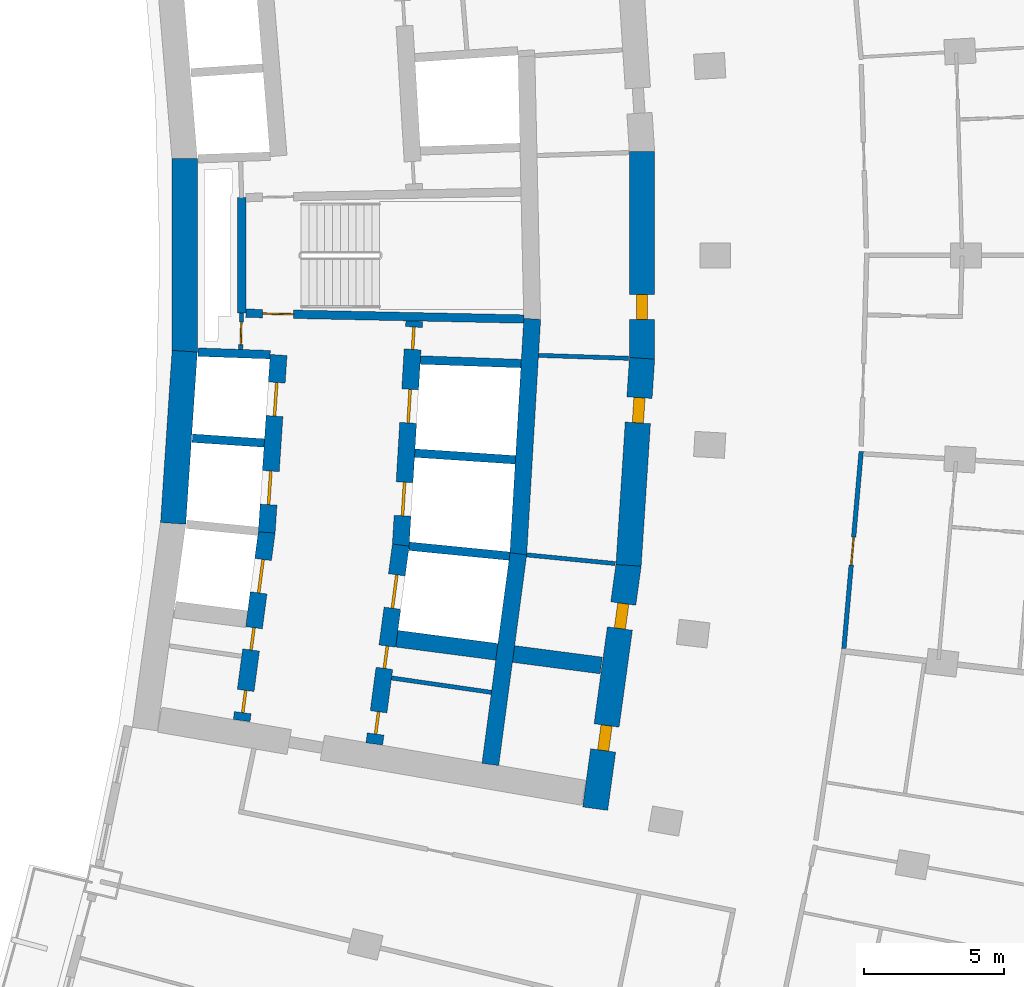
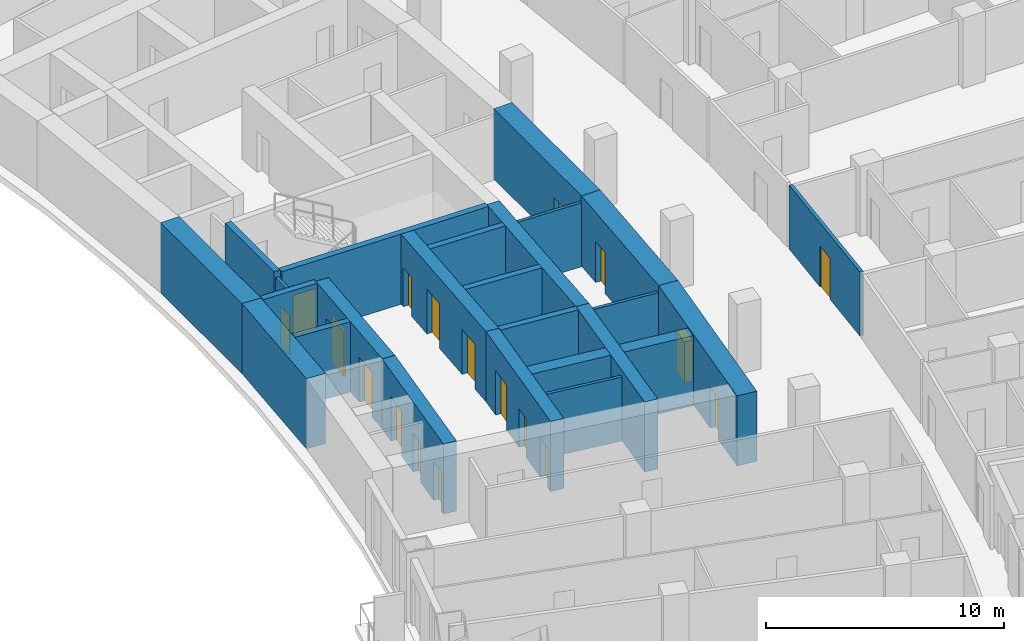
# One storey, part 16 of 25: 25 walls, 18 doors, 18 openings.
"""IFC4 building model written with IfcOpenShell, lengths in metres."""

from ifc_helpers import new_model, si_unit, direction, frame, frame_2d, origin, place, context, subcontext, project, spatial, rectangle, extrude, material, layer, layer_set, type_object, element, fill, save


model = new_model("IFC4")

# Units and contexts
model_context = context("Model", 3, precision=1e-05, world=origin(), true_north=direction((0.0, 1.0)))
body_context = subcontext(model_context, "Body", "Model", "MODEL_VIEW")
ifc_project = project(units=[si_unit("LENGTHUNIT", "METRE"), si_unit("AREAUNIT", "SQUARE_METRE"), si_unit("VOLUMEUNIT", "CUBIC_METRE"), si_unit("PLANEANGLEUNIT", "RADIAN"), si_unit("MASSUNIT", "GRAM", prefix="KILO")], contexts=[model_context])

# Site, building, storey
site_placement = place(None, origin())
site = spatial("IfcSite", under=ifc_project, at=site_placement, CompositionType="ELEMENT")
building_placement = place(site_placement, origin())
building = spatial("IfcBuilding", under=site, at=building_placement, Name="Alderwake Tower", CompositionType="ELEMENT")
storey_placement = place(building_placement, frame((0.0, 0.0, 57.199951171875)))
storey = spatial("IfcBuildingStorey", under=building, at=storey_placement, Name="L13", CompositionType="ELEMENT", Elevation=57.199951171875)

# Wall, opening, door
ifc_material_1 = material(Name="Gypsum shaft wall system, rated")
ifc_layer_1 = layer(ifc_material_1, 0.14990234375)
ifc_layer_set_1 = layer_set([ifc_layer_1], Name="Core room partition 150")
wall_type_1 = type_object("IfcWallType", Name="Core room partition 150", PredefinedType="PARTITIONING", material=ifc_layer_set_1)
wall_1_placement = place(storey_placement, frame((18.918701171875, 58.94384765625, 0.0), z_axis=(0.0, 0.0, 1.0), x_axis=(-0.027348257573, -0.999625966453, 0.0)))
wall_1 = element("IfcWall", 1, at=wall_1_placement, inside=storey, type_object=wall_type_1, Name="CW/L13/PA+24_-37", PredefinedType="PARTITIONING", context=body_context, shape_type="SweptSolid", body=[
    extrude(rectangle(XDim=1.29443359375, YDim=0.14990234375, at=frame_2d((0.647216796875, 0.0))), origin(), (0.0, 0.0, 1.0), 3.280029296875),
])
opening_1_placement = place(wall_1_placement, frame((0.322998046875, 0.0, 0.0)))
opening_1 = element("IfcOpeningElement", 2, at=opening_1_placement, cuts=wall_1, Name="Opening C004", PredefinedType="OPENING", context=body_context, shape_type="SweptSolid", body=[
    extrude(rectangle(XDim=0.800048828125, YDim=2.0, at=frame_2d((0.39990234375, 1.0))), frame((0.0, 0.0849609375, 0.0), z_axis=(0.0, -1.0, 0.0), x_axis=(1.0, 0.0, 0.0)), (0.0, 0.0, 1.0), 0.169921875),
])
ifc_material_2 = material(Name="Painted steel leaf, rated", Category="steel")
door_type_1 = type_object("IfcDoorType", Name="Riser access door 800", OperationType="SINGLE_SWING_LEFT", PredefinedType="DOOR", material=ifc_material_2)
door_1_placement = place(opening_1_placement, origin())
door_1 = element("IfcDoor", 3, at=door_1_placement, inside=storey, type_object=door_type_1, Name="Riser access door", OperationType="SINGLE_SWING_RIGHT", OverallHeight=2.0, OverallWidth=0.800048828125, PredefinedType="DOOR", context=body_context, shape_type="SweptSolid", body=[
    extrude(rectangle(XDim=0.800048828125, YDim=2.0, at=frame_2d((0.39990234375, 1.0))), frame((0.0, 0.02490234375, 0.0), z_axis=(0.0, -1.0, 0.0), x_axis=(1.0, 0.0, 0.0)), (0.0, 0.0, 1.0), 0.050048828125),
])
fill(opening_1, door_1)

# Walls
wall_2_placement = place(storey_placement, frame((24.263916015625, 45.940673828125, 0.0), z_axis=(0.0, 0.0, 1.0), x_axis=(0.989732412963, -0.142932679013, 0.0)))
element("IfcWall", 4, at=wall_2_placement, inside=storey, type_object=wall_type_1, Name="CW/L13/PR-150_+86", PredefinedType="PARTITIONING", context=body_context, shape_type="SweptSolid", body=[
    extrude(rectangle(XDim=3.595458984375, YDim=0.14990234375, at=frame_2d((1.7978515625, 0.0))), origin(), (0.0, 0.0, 1.0), 3.280029296875),
])
wall_3_placement = place(storey_placement, frame((29.0791015625, 50.326416015625, 0.0), z_axis=(0.0, 0.0, 1.0), x_axis=(0.995249181795, -0.097360495766, 0.0)))
element("IfcWall", 5, at=wall_3_placement, inside=storey, type_object=wall_type_1, Name="CW/L13/PR-102_+128", PredefinedType="PARTITIONING", context=body_context, shape_type="SweptSolid", body=[
    extrude(rectangle(XDim=3.169677734375, YDim=0.14990234375, at=frame_2d((1.5849609375, 0.0))), origin(), (0.0, 0.0, 1.0), 3.280029296875),
])
wall_4_placement = place(storey_placement, frame((29.50048828125, 57.4384765625, 0.0), z_axis=(0.0, 0.0, 1.0), x_axis=(0.999470508275, -0.032537717924, 0.0)))
element("IfcWall", 6, at=wall_4_placement, inside=storey, type_object=wall_type_1, Name="CW/L13/PR-34_+128", PredefinedType="PARTITIONING", context=body_context, shape_type="SweptSolid", body=[
    extrude(rectangle(XDim=3.21142578125, YDim=0.14990234375, at=frame_2d((1.605712890625, 0.0))), origin(), (0.0, 0.0, 1.0), 3.280029296875),
])
ifc_material_3 = material(Name="Concrete C70/85", Category="concrete")
ifc_layer_2 = layer(ifc_material_3, 0.89990234375)
ifc_layer_set_2 = layer_set([ifc_layer_2], Name="Core wall outer 900 C70-85")
wall_type_2 = type_object("IfcWallType", Name="Core wall outer 900 C70-85", PredefinedType="SHEAR", material=ifc_layer_set_2)
wall_5_placement = place(storey_placement, frame((16.47900390625, 51.449951171875, 0.0), z_axis=(0.0, 0.0, 1.0), x_axis=(0.06689316208, 0.997760143956, 0.0)))
element("IfcWall", 7, at=wall_5_placement, inside=storey, type_object=wall_type_2, Name="Core wall CW.041", PredefinedType="SHEAR", context=body_context, shape_type="SweptSolid", body=[
    extrude(rectangle(XDim=6.149658203125, YDim=0.89990234375, at=frame_2d((3.07470703125, 0.0))), origin(), (0.0, 0.0, 1.0), 3.60009765625),
])
wall_6_placement = place(storey_placement, frame((16.889404296875, 57.5546875, 0.0), z_axis=(0.0, 0.0, 1.0), x_axis=(0.0, 1.0, 0.0)))
element("IfcWall", 8, at=wall_6_placement, inside=storey, type_object=wall_type_2, Name="Core wall CW.043", PredefinedType="SHEAR", context=body_context, shape_type="SweptSolid", body=[
    extrude(rectangle(XDim=6.89404296875, YDim=0.89990234375, at=frame_2d((3.447021484375, 0.0))), origin(), (0.0, 0.0, 1.0), 3.60009765625),
])

# Wall, openings, doors
wall_7_placement = place(storey_placement, frame((32.7138671875, 49.9873046875, 0.0), z_axis=(0.0, 0.0, 1.0), x_axis=(-0.135844728876, -0.990730139663, 0.0)))
wall_7 = element("IfcWall", 9, at=wall_7_placement, inside=storey, type_object=wall_type_2, Name="Core wall CW.012", PredefinedType="SHEAR", context=body_context, shape_type="SweptSolid", body=[
    extrude(rectangle(XDim=8.78662109375, YDim=0.89990234375, at=frame_2d((4.393310546875, 0.0))), origin(), (0.0, 0.0, 1.0), 3.60009765625),
])
opening_2_placement = place(wall_7_placement, frame((1.40673828125, 0.0, 0.0)))
opening_2 = element("IfcOpeningElement", 10, at=opening_2_placement, cuts=wall_7, Name="Opening C050", PredefinedType="OPENING", context=body_context, shape_type="SweptSolid", body=[
    extrude(rectangle(XDim=0.89990234375, YDim=2.10009765625, at=frame_2d((0.449951171875, 1.050048828125))), frame((0.0, 0.4599609375, 0.0), z_axis=(0.0, -1.0, 0.0), x_axis=(1.0, 0.0, 0.0)), (0.0, 0.0, 1.0), 0.919921875),
])
opening_3_placement = place(wall_7_placement, frame((5.79248046875, 0.0, 0.0)))
opening_3 = element("IfcOpeningElement", 11, at=opening_3_placement, cuts=wall_7, Name="Opening C061", PredefinedType="OPENING", context=body_context, shape_type="SweptSolid", body=[
    extrude(rectangle(XDim=0.89990234375, YDim=2.10009765625, at=frame_2d((0.449951171875, 1.050048828125))), frame((0.0, 0.4599609375, 0.0), z_axis=(0.0, -1.0, 0.0), x_axis=(1.0, 0.0, 0.0)), (0.0, 0.0, 1.0), 0.919921875),
])
ifc_material_4 = material(Name="Painted steel leaf", Category="steel")
door_type_2 = type_object("IfcDoorType", Name="Core room door 900", OperationType="SINGLE_SWING_LEFT", PredefinedType="DOOR", material=ifc_material_4)
door_2_placement = place(opening_2_placement, origin())
door_2 = element("IfcDoor", 12, at=door_2_placement, inside=storey, type_object=door_type_2, Name="Room door", OperationType="SINGLE_SWING_LEFT", OverallHeight=2.10009765625, OverallWidth=0.89990234375, PredefinedType="DOOR", context=body_context, shape_type="SweptSolid", body=[
    extrude(rectangle(XDim=0.89990234375, YDim=2.10009765625, at=frame_2d((0.449951171875, 1.050048828125))), frame((0.0, 0.199951171875, 0.0), z_axis=(0.0, -1.0, 0.0), x_axis=(1.0, 0.0, 0.0)), (0.0, 0.0, 1.0), 0.39990234375),
])
fill(opening_2, door_2)
door_3_placement = place(opening_3_placement, origin())
door_3 = element("IfcDoor", 13, at=door_3_placement, inside=storey, type_object=door_type_2, Name="Room door", OperationType="SINGLE_SWING_RIGHT", OverallHeight=2.10009765625, OverallWidth=0.89990234375, PredefinedType="DOOR", context=body_context, shape_type="SweptSolid", body=[
    extrude(rectangle(XDim=0.89990234375, YDim=2.10009765625, at=frame_2d((0.449951171875, 1.050048828125))), frame((0.0, 0.199951171875, 0.0), z_axis=(0.0, -1.0, 0.0), x_axis=(1.0, 0.0, 0.0)), (0.0, 0.0, 1.0), 0.39990234375),
])
fill(opening_3, door_3)

# Wall, opening, door
wall_8_placement = place(storey_placement, frame((33.191162109375, 57.33349609375, 0.0), z_axis=(0.0, 0.0, 1.0), x_axis=(-0.064976219143, -0.997886812693, 0.0)))
wall_8 = element("IfcWall", 14, at=wall_8_placement, inside=storey, type_object=wall_type_2, Name="Core wall CW.011", PredefinedType="SHEAR", context=body_context, shape_type="SweptSolid", body=[
    extrude(rectangle(XDim=7.39453125, YDim=0.89990234375, at=frame_2d((3.697265625, 0.0))), origin(), (0.0, 0.0, 1.0), 3.60009765625),
])
opening_4_placement = place(wall_8_placement, frame((1.405517578125, 0.0, 0.0)))
opening_4 = element("IfcOpeningElement", 15, at=opening_4_placement, cuts=wall_8, Name="Opening C026", PredefinedType="OPENING", context=body_context, shape_type="SweptSolid", body=[
    extrude(rectangle(XDim=0.89990234375, YDim=2.10009765625, at=frame_2d((0.449951171875, 1.050048828125))), frame((0.0, 0.4599609375, 0.0), z_axis=(0.0, -1.0, 0.0), x_axis=(1.0, 0.0, 0.0)), (0.0, 0.0, 1.0), 0.919921875),
])
door_4_placement = place(opening_4_placement, origin())
door_4 = element("IfcDoor", 16, at=door_4_placement, inside=storey, type_object=door_type_2, Name="Room door", OperationType="SINGLE_SWING_RIGHT", OverallHeight=2.10009765625, OverallWidth=0.89990234375, PredefinedType="DOOR", context=body_context, shape_type="SweptSolid", body=[
    extrude(rectangle(XDim=0.89990234375, YDim=2.10009765625, at=frame_2d((0.449951171875, 1.050048828125))), frame((0.0, 0.199951171875, 0.0), z_axis=(0.0, -1.0, 0.0), x_axis=(1.0, 0.0, 0.0)), (0.0, 0.0, 1.0), 0.39990234375),
])
fill(opening_4, door_4)

wall_9_placement = place(storey_placement, frame((33.190185546875, 64.69677734375, 0.0), z_axis=(0.0, 0.0, 1.0), x_axis=(0.0, -1.0, 0.0)))
wall_9 = element("IfcWall", 17, at=wall_9_placement, inside=storey, type_object=wall_type_2, Name="Core wall CW.013", PredefinedType="SHEAR", context=body_context, shape_type="SweptSolid", body=[
    extrude(rectangle(XDim=7.3935546875, YDim=0.89990234375, at=frame_2d((3.69677734375, 0.0))), origin(), (0.0, 0.0, 1.0), 3.60009765625),
])
opening_5_placement = place(wall_9_placement, frame((5.087646484375, 0.0, 0.0)))
opening_5 = element("IfcOpeningElement", 18, at=opening_5_placement, cuts=wall_9, Name="Opening C030", PredefinedType="OPENING", context=body_context, shape_type="SweptSolid", body=[
    extrude(rectangle(XDim=0.89990234375, YDim=2.10009765625, at=frame_2d((0.449951171875, 1.050048828125))), frame((0.0, 0.4599609375, 0.0), z_axis=(0.0, -1.0, 0.0), x_axis=(1.0, 0.0, 0.0)), (0.0, 0.0, 1.0), 0.919921875),
])
door_5_placement = place(opening_5_placement, origin())
door_5 = element("IfcDoor", 19, at=door_5_placement, inside=storey, type_object=door_type_2, Name="Room door", OperationType="SINGLE_SWING_LEFT", OverallHeight=2.10009765625, OverallWidth=0.89990234375, PredefinedType="DOOR", context=body_context, shape_type="SweptSolid", body=[
    extrude(rectangle(XDim=0.89990234375, YDim=2.10009765625, at=frame_2d((0.449951171875, 1.050048828125))), frame((0.0, 0.199951171875, 0.0), z_axis=(0.0, -1.0, 0.0), x_axis=(1.0, 0.0, 0.0)), (0.0, 0.0, 1.0), 0.39990234375),
])
fill(opening_5, door_5)

# Walls
ifc_material_5 = material(Name="Concrete C70/85", Category="concrete")
ifc_layer_3 = layer(ifc_material_5, 0.300048828125)
ifc_layer_set_3 = layer_set([ifc_layer_3], Name="Core wall shaft 300 C70-85")
wall_type_3 = type_object("IfcWallType", Name="Core wall shaft 300 C70-85", PredefinedType="SHEAR", material=ifc_layer_set_3)
wall_10_placement = place(storey_placement, frame((24.889404296875, 50.635009765625, 0.0), z_axis=(0.0, 0.0, 1.0), x_axis=(0.995156121494, -0.098307140396, 0.0)))
element("IfcWall", 20, at=wall_10_placement, inside=storey, type_object=wall_type_3, Name="Core wall CW.066", PredefinedType="SHEAR", context=body_context, shape_type="SweptSolid", body=[
    extrude(rectangle(XDim=3.595947265625, YDim=0.300048828125, at=frame_2d((1.7978515625, 0.0))), origin(), (0.0, 0.0, 1.0), 3.60009765625),
])
wall_11_placement = place(storey_placement, frame((17.16357421875, 54.486083984375, 0.0), z_axis=(0.0, 0.0, 1.0), x_axis=(0.997758581961, -0.066916456292, 0.0)))
element("IfcWall", 21, at=wall_11_placement, inside=storey, type_object=wall_type_3, Name="Core wall CW.079", PredefinedType="SHEAR", context=body_context, shape_type="SweptSolid", body=[
    extrude(rectangle(XDim=2.568603515625, YDim=0.300048828125, at=frame_2d((1.2841796875, 0.0))), origin(), (0.0, 0.0, 1.0), 3.60009765625),
])
wall_12_placement = place(storey_placement, frame((25.090087890625, 53.954833984375, 0.0), z_axis=(0.0, 0.0, 1.0), x_axis=(0.997758045734, -0.066924451231, 0.0)))
element("IfcWall", 22, at=wall_12_placement, inside=storey, type_object=wall_type_3, Name="Core wall CW.080", PredefinedType="SHEAR", context=body_context, shape_type="SweptSolid", body=[
    extrude(rectangle(XDim=3.596923828125, YDim=0.300048828125, at=frame_2d((1.79833984375, 0.0))), origin(), (0.0, 0.0, 1.0), 3.60009765625),
])
wall_13_placement = place(storey_placement, frame((17.369140625, 57.553466796875, 0.0), z_axis=(0.0, 0.0, 1.0), x_axis=(0.99937189907, -0.035437372217, 0.0)))
element("IfcWall", 23, at=wall_13_placement, inside=storey, type_object=wall_type_3, Name="Core wall CW.076", PredefinedType="SHEAR", context=body_context, shape_type="SweptSolid", body=[
    extrude(rectangle(XDim=2.56982421875, YDim=0.300048828125, at=frame_2d((1.284912109375, 0.0))), origin(), (0.0, 0.0, 1.0), 3.60009765625),
])
wall_14_placement = place(storey_placement, frame((25.29052734375, 57.27294921875, 0.0), z_axis=(0.0, 0.0, 1.0), x_axis=(0.99937585491, -0.035325636908, 0.0)))
element("IfcWall", 24, at=wall_14_placement, inside=storey, type_object=wall_type_3, Name="Core wall CW.077", PredefinedType="SHEAR", context=body_context, shape_type="SweptSolid", body=[
    extrude(rectangle(XDim=3.59375, YDim=0.300048828125, at=frame_2d((1.796875, 0.0))), origin(), (0.0, 0.0, 1.0), 3.60009765625),
])

# Wall, openings, doors
ifc_material_6 = material(Name="Concrete C70/85", Category="concrete")
ifc_layer_4 = layer(ifc_material_6, 0.60009765625)
ifc_layer_set_4 = layer_set([ifc_layer_4], Name="Core wall spine 600 C70-85")
wall_type_4 = type_object("IfcWallType", Name="Core wall spine 600 C70-85", PredefinedType="SHEAR", material=ifc_layer_set_4)
wall_15_placement = place(storey_placement, frame((19.815185546875, 51.14697265625, 0.0), z_axis=(0.0, 0.0, 1.0), x_axis=(-0.131854836214, -0.991269036219, 0.0)))
wall_15 = element("IfcWall", 25, at=wall_15_placement, inside=storey, type_object=wall_type_4, Name="Core wall CW.033", PredefinedType="SHEAR", context=body_context, shape_type="SweptSolid", body=[
    extrude(rectangle(XDim=6.782470703125, YDim=0.60009765625, at=frame_2d((3.39111328125, 0.0))), origin(), (0.0, 0.0, 1.0), 3.60009765625),
])
opening_6_placement = place(wall_15_placement, frame((0.9921875, 0.0, 0.0)))
opening_6 = element("IfcOpeningElement", 26, at=opening_6_placement, cuts=wall_15, Name="Opening LD-LP1", PredefinedType="OPENING", context=body_context, shape_type="SweptSolid", body=[
    extrude(rectangle(XDim=1.199951171875, YDim=2.300048828125, at=frame_2d((0.60009765625, 1.14990234375))), frame((0.0, 0.31005859375, 0.0), z_axis=(0.0, -1.0, 0.0), x_axis=(1.0, 0.0, 0.0)), (0.0, 0.0, 1.0), 0.6201171875),
])
opening_7_placement = place(wall_15_placement, frame((5.699951171875, 0.0, 0.0)))
opening_7 = element("IfcOpeningElement", 27, at=opening_7_placement, cuts=wall_15, Name="Opening C008", PredefinedType="OPENING", context=body_context, shape_type="SweptSolid", body=[
    extrude(rectangle(XDim=0.800048828125, YDim=2.0, at=frame_2d((0.39990234375, 1.0))), frame((0.0, 0.31005859375, 0.0), z_axis=(0.0, -1.0, 0.0), x_axis=(1.0, 0.0, 0.0)), (0.0, 0.0, 1.0), 0.6201171875),
])
opening_8_placement = place(wall_15_placement, frame((3.4462890625, 0.0, 0.0)))
opening_8 = element("IfcOpeningElement", 28, at=opening_8_placement, cuts=wall_15, Name="Opening C012", PredefinedType="OPENING", context=body_context, shape_type="SweptSolid", body=[
    extrude(rectangle(XDim=0.800048828125, YDim=2.0, at=frame_2d((0.39990234375, 1.0))), frame((0.0, 0.31005859375, 0.0), z_axis=(0.0, -1.0, 0.0), x_axis=(1.0, 0.0, 0.0)), (0.0, 0.0, 1.0), 0.6201171875),
])
ifc_material_7 = material(Name="Stainless steel sliding leaf", Category="steel")
door_type_3 = type_object("IfcDoorType", Name="Lift landing door 1200", OperationType="SLIDING_TO_LEFT", PredefinedType="DOOR", material=ifc_material_7)
door_6_placement = place(opening_6_placement, origin())
door_6 = element("IfcDoor", 29, at=door_6_placement, inside=storey, type_object=door_type_3, Name="Lift landing door LP1", OperationType="SLIDING_TO_LEFT", OverallHeight=2.300048828125, OverallWidth=1.199951171875, PredefinedType="DOOR", context=body_context, shape_type="SweptSolid", body=[
    extrude(rectangle(XDim=1.199951171875, YDim=2.300048828125, at=frame_2d((0.60009765625, 1.14990234375))), frame((0.0, 0.050048828125, 0.0), z_axis=(0.0, -1.0, 0.0), x_axis=(1.0, 0.0, 0.0)), (0.0, 0.0, 1.0), 0.10009765625),
])
fill(opening_6, door_6)
door_7_placement = place(opening_7_placement, origin())
door_7 = element("IfcDoor", 30, at=door_7_placement, inside=storey, type_object=door_type_1, Name="Riser access door", OperationType="SINGLE_SWING_LEFT", OverallHeight=2.0, OverallWidth=0.800048828125, PredefinedType="DOOR", context=body_context, shape_type="SweptSolid", body=[
    extrude(rectangle(XDim=0.800048828125, YDim=2.0, at=frame_2d((0.39990234375, 1.0))), frame((0.0, 0.050048828125, 0.0), z_axis=(0.0, -1.0, 0.0), x_axis=(1.0, 0.0, 0.0)), (0.0, 0.0, 1.0), 0.10009765625),
])
fill(opening_7, door_7)
door_8_placement = place(opening_8_placement, origin())
door_8 = element("IfcDoor", 31, at=door_8_placement, inside=storey, type_object=door_type_1, Name="Riser access door", OperationType="SINGLE_SWING_RIGHT", OverallHeight=2.0, OverallWidth=0.800048828125, PredefinedType="DOOR", context=body_context, shape_type="SweptSolid", body=[
    extrude(rectangle(XDim=0.800048828125, YDim=2.0, at=frame_2d((0.39990234375, 1.0))), frame((0.0, 0.050048828125, 0.0), z_axis=(0.0, -1.0, 0.0), x_axis=(1.0, 0.0, 0.0)), (0.0, 0.0, 1.0), 0.10009765625),
])
fill(opening_8, door_8)

wall_16_placement = place(storey_placement, frame((19.813232421875, 51.12646484375, 0.0), z_axis=(0.0, 0.0, 1.0), x_axis=(0.066892179723, 0.997760209816, 0.0)))
wall_16 = element("IfcWall", 32, at=wall_16_placement, inside=storey, type_object=wall_type_4, Name="Core wall CW.032", PredefinedType="SHEAR", context=body_context, shape_type="SweptSolid", body=[
    extrude(rectangle(XDim=6.339599609375, YDim=0.60009765625, at=frame_2d((3.169921875, 0.0))), origin(), (0.0, 0.0, 1.0), 3.60009765625),
])
opening_9_placement = place(wall_16_placement, frame((0.992431640625, 0.0, 0.0)))
opening_9 = element("IfcOpeningElement", 33, at=opening_9_placement, cuts=wall_16, Name="Opening LD-LP2", PredefinedType="OPENING", context=body_context, shape_type="SweptSolid", body=[
    extrude(rectangle(XDim=1.199951171875, YDim=2.300048828125, at=frame_2d((0.60009765625, 1.14990234375))), frame((0.0, 0.31005859375, 0.0), z_axis=(0.0, -1.0, 0.0), x_axis=(1.0, 0.0, 0.0)), (0.0, 0.0, 1.0), 0.6201171875),
])
opening_10_placement = place(wall_16_placement, frame((4.157470703125, 0.0, 0.0)))
opening_10 = element("IfcOpeningElement", 34, at=opening_10_placement, cuts=wall_16, Name="Opening LD-LP3", PredefinedType="OPENING", context=body_context, shape_type="SweptSolid", body=[
    extrude(rectangle(XDim=1.199951171875, YDim=2.300048828125, at=frame_2d((0.60009765625, 1.14990234375))), frame((0.0, 0.31005859375, 0.0), z_axis=(0.0, -1.0, 0.0), x_axis=(1.0, 0.0, 0.0)), (0.0, 0.0, 1.0), 0.6201171875),
])
door_9_placement = place(opening_9_placement, origin())
door_9 = element("IfcDoor", 35, at=door_9_placement, inside=storey, type_object=door_type_3, Name="Lift landing door LP2", OperationType="SLIDING_TO_LEFT", OverallHeight=2.300048828125, OverallWidth=1.199951171875, PredefinedType="DOOR", context=body_context, shape_type="SweptSolid", body=[
    extrude(rectangle(XDim=1.199951171875, YDim=2.300048828125, at=frame_2d((0.60009765625, 1.14990234375))), frame((0.0, 0.050048828125, 0.0), z_axis=(0.0, -1.0, 0.0), x_axis=(1.0, 0.0, 0.0)), (0.0, 0.0, 1.0), 0.10009765625),
])
fill(opening_9, door_9)
door_10_placement = place(opening_10_placement, origin())
door_10 = element("IfcDoor", 36, at=door_10_placement, inside=storey, type_object=door_type_3, Name="Lift landing door LP3", OperationType="SLIDING_TO_LEFT", OverallHeight=2.300048828125, OverallWidth=1.199951171875, PredefinedType="DOOR", context=body_context, shape_type="SweptSolid", body=[
    extrude(rectangle(XDim=1.199951171875, YDim=2.300048828125, at=frame_2d((0.60009765625, 1.14990234375))), frame((0.0, 0.050048828125, 0.0), z_axis=(0.0, -1.0, 0.0), x_axis=(1.0, 0.0, 0.0)), (0.0, 0.0, 1.0), 0.10009765625),
])
fill(opening_10, door_10)

wall_17_placement = place(storey_placement, frame((23.647705078125, 43.588134765625, 0.0), z_axis=(0.0, 0.0, 1.0), x_axis=(0.132069785658, 0.991240420744, 0.0)))
wall_17 = element("IfcWall", 37, at=wall_17_placement, inside=storey, type_object=wall_type_4, Name="Core wall CW.047", PredefinedType="SHEAR", context=body_context, shape_type="SweptSolid", body=[
    extrude(rectangle(XDim=7.150390625, YDim=0.60009765625, at=frame_2d((3.5751953125, 0.0))), origin(), (0.0, 0.0, 1.0), 3.60009765625),
])
opening_11_placement = place(wall_17_placement, frame((4.88134765625, 0.0, 0.0)))
opening_11 = element("IfcOpeningElement", 38, at=opening_11_placement, cuts=wall_17, Name="Opening LD-LP4", PredefinedType="OPENING", context=body_context, shape_type="SweptSolid", body=[
    extrude(rectangle(XDim=1.199951171875, YDim=2.300048828125, at=frame_2d((0.60009765625, 1.14990234375))), frame((0.0, 0.31005859375, 0.0), z_axis=(0.0, -1.0, 0.0), x_axis=(1.0, 0.0, 0.0)), (0.0, 0.0, 1.0), 0.6201171875),
])
opening_12_placement = place(wall_17_placement, frame((0.35791015625, 0.0, 0.0)))
opening_12 = element("IfcOpeningElement", 39, at=opening_12_placement, cuts=wall_17, Name="Opening C015", PredefinedType="OPENING", context=body_context, shape_type="SweptSolid", body=[
    extrude(rectangle(XDim=0.800048828125, YDim=2.0, at=frame_2d((0.39990234375, 1.0))), frame((0.0, 0.31005859375, 0.0), z_axis=(0.0, -1.0, 0.0), x_axis=(1.0, 0.0, 0.0)), (0.0, 0.0, 1.0), 0.6201171875),
])
opening_13_placement = place(wall_17_placement, frame((2.719482421875, 0.0, 0.0)))
opening_13 = element("IfcOpeningElement", 40, at=opening_13_placement, cuts=wall_17, Name="Opening C019", PredefinedType="OPENING", context=body_context, shape_type="SweptSolid", body=[
    extrude(rectangle(XDim=0.800048828125, YDim=2.0, at=frame_2d((0.39990234375, 1.0))), frame((0.0, 0.31005859375, 0.0), z_axis=(0.0, -1.0, 0.0), x_axis=(1.0, 0.0, 0.0)), (0.0, 0.0, 1.0), 0.6201171875),
])
door_11_placement = place(opening_11_placement, origin())
door_11 = element("IfcDoor", 41, at=door_11_placement, inside=storey, type_object=door_type_3, Name="Lift landing door LP4", OperationType="SLIDING_TO_LEFT", OverallHeight=2.300048828125, OverallWidth=1.199951171875, PredefinedType="DOOR", context=body_context, shape_type="SweptSolid", body=[
    extrude(rectangle(XDim=1.199951171875, YDim=2.300048828125, at=frame_2d((0.60009765625, 1.14990234375))), frame((0.0, 0.050048828125, 0.0), z_axis=(0.0, -1.0, 0.0), x_axis=(1.0, 0.0, 0.0)), (0.0, 0.0, 1.0), 0.10009765625),
])
fill(opening_11, door_11)
door_12_placement = place(opening_12_placement, origin())
door_12 = element("IfcDoor", 42, at=door_12_placement, inside=storey, type_object=door_type_1, Name="Riser access door", OperationType="SINGLE_SWING_LEFT", OverallHeight=2.0, OverallWidth=0.800048828125, PredefinedType="DOOR", context=body_context, shape_type="SweptSolid", body=[
    extrude(rectangle(XDim=0.800048828125, YDim=2.0, at=frame_2d((0.39990234375, 1.0))), frame((0.0, 0.050048828125, 0.0), z_axis=(0.0, -1.0, 0.0), x_axis=(1.0, 0.0, 0.0)), (0.0, 0.0, 1.0), 0.10009765625),
])
fill(opening_12, door_12)
door_13_placement = place(opening_13_placement, origin())
door_13 = element("IfcDoor", 43, at=door_13_placement, inside=storey, type_object=door_type_1, Name="Riser access door", OperationType="SINGLE_SWING_RIGHT", OverallHeight=2.0, OverallWidth=0.800048828125, PredefinedType="DOOR", context=body_context, shape_type="SweptSolid", body=[
    extrude(rectangle(XDim=0.800048828125, YDim=2.0, at=frame_2d((0.39990234375, 1.0))), frame((0.0, 0.050048828125, 0.0), z_axis=(0.0, -1.0, 0.0), x_axis=(1.0, 0.0, 0.0)), (0.0, 0.0, 1.0), 0.10009765625),
])
fill(opening_13, door_13)

wall_18_placement = place(storey_placement, frame((24.58984375, 50.6533203125, 0.0), z_axis=(0.0, 0.0, 1.0), x_axis=(0.060323309079, 0.998178890972, 0.0)))
wall_18 = element("IfcWall", 44, at=wall_18_placement, inside=storey, type_object=wall_type_4, Name="Core wall CW.046", PredefinedType="SHEAR", context=body_context, shape_type="SweptSolid", body=[
    extrude(rectangle(XDim=8.025634765625, YDim=0.60009765625, at=frame_2d((4.0126953125, 0.0))), origin(), (0.0, 0.0, 1.0), 3.60009765625),
])
opening_14_placement = place(wall_18_placement, frame((1.06884765625, 0.0, 0.0)))
opening_14 = element("IfcOpeningElement", 45, at=opening_14_placement, cuts=wall_18, Name="Opening LD-LP5", PredefinedType="OPENING", context=body_context, shape_type="SweptSolid", body=[
    extrude(rectangle(XDim=1.199951171875, YDim=2.300048828125, at=frame_2d((0.60009765625, 1.14990234375))), frame((0.0, 0.31005859375, 0.0), z_axis=(0.0, -1.0, 0.0), x_axis=(1.0, 0.0, 0.0)), (0.0, 0.0, 1.0), 0.6201171875),
])
opening_15_placement = place(wall_18_placement, frame((4.38525390625, 0.0, 0.0)))
opening_15 = element("IfcOpeningElement", 46, at=opening_15_placement, cuts=wall_18, Name="Opening LD-LP6", PredefinedType="OPENING", context=body_context, shape_type="SweptSolid", body=[
    extrude(rectangle(XDim=1.199951171875, YDim=2.300048828125, at=frame_2d((0.60009765625, 1.14990234375))), frame((0.0, 0.31005859375, 0.0), z_axis=(0.0, -1.0, 0.0), x_axis=(1.0, 0.0, 0.0)), (0.0, 0.0, 1.0), 0.6201171875),
])
opening_16_placement = place(wall_18_placement, frame((7.009521484375, 0.0, 0.0)))
opening_16 = element("IfcOpeningElement", 47, at=opening_16_placement, cuts=wall_18, Name="Opening C006", PredefinedType="OPENING", context=body_context, shape_type="SweptSolid", body=[
    extrude(rectangle(XDim=0.800048828125, YDim=2.0, at=frame_2d((0.39990234375, 1.0))), frame((0.0, 0.31005859375, 0.0), z_axis=(0.0, -1.0, 0.0), x_axis=(1.0, 0.0, 0.0)), (0.0, 0.0, 1.0), 0.6201171875),
])
door_14_placement = place(opening_14_placement, origin())
door_14 = element("IfcDoor", 48, at=door_14_placement, inside=storey, type_object=door_type_3, Name="Lift landing door LP5", OperationType="SLIDING_TO_LEFT", OverallHeight=2.300048828125, OverallWidth=1.199951171875, PredefinedType="DOOR", context=body_context, shape_type="SweptSolid", body=[
    extrude(rectangle(XDim=1.199951171875, YDim=2.300048828125, at=frame_2d((0.60009765625, 1.14990234375))), frame((0.0, 0.050048828125, 0.0), z_axis=(0.0, -1.0, 0.0), x_axis=(1.0, 0.0, 0.0)), (0.0, 0.0, 1.0), 0.10009765625),
])
fill(opening_14, door_14)
door_15_placement = place(opening_15_placement, origin())
door_15 = element("IfcDoor", 49, at=door_15_placement, inside=storey, type_object=door_type_3, Name="Lift landing door LP6", OperationType="SLIDING_TO_LEFT", OverallHeight=2.300048828125, OverallWidth=1.199951171875, PredefinedType="DOOR", context=body_context, shape_type="SweptSolid", body=[
    extrude(rectangle(XDim=1.199951171875, YDim=2.300048828125, at=frame_2d((0.60009765625, 1.14990234375))), frame((0.0, 0.050048828125, 0.0), z_axis=(0.0, -1.0, 0.0), x_axis=(1.0, 0.0, 0.0)), (0.0, 0.0, 1.0), 0.10009765625),
])
fill(opening_15, door_15)
door_16_placement = place(opening_16_placement, origin())
door_16 = element("IfcDoor", 50, at=door_16_placement, inside=storey, type_object=door_type_1, Name="Riser access door", OperationType="SINGLE_SWING_RIGHT", OverallHeight=2.0, OverallWidth=0.800048828125, PredefinedType="DOOR", context=body_context, shape_type="SweptSolid", body=[
    extrude(rectangle(XDim=0.800048828125, YDim=2.0, at=frame_2d((0.39990234375, 1.0))), frame((0.0, 0.050048828125, 0.0), z_axis=(0.0, -1.0, 0.0), x_axis=(1.0, 0.0, 0.0)), (0.0, 0.0, 1.0), 0.10009765625),
])
fill(opening_16, door_16)

# Walls
wall_19_placement = place(storey_placement, frame((27.78369140625, 42.85693359375, 0.0), z_axis=(0.0, 0.0, 1.0), x_axis=(0.131768985664, 0.991280451949, 0.0)))
element("IfcWall", 51, at=wall_19_placement, inside=storey, type_object=wall_type_4, Name="Core wall CW.006", PredefinedType="SHEAR", context=body_context, shape_type="SweptSolid", body=[
    extrude(rectangle(XDim=7.576171875, YDim=0.60009765625, at=frame_2d((3.7880859375, 0.0))), origin(), (0.0, 0.0, 1.0), 3.60009765625),
])
wall_20_placement = place(storey_placement, frame((28.77978515625, 50.34423828125, 0.0), z_axis=(0.0, 0.0, 1.0), x_axis=(0.059133840665, 0.998250063305, 0.0)))
element("IfcWall", 52, at=wall_20_placement, inside=storey, type_object=wall_type_4, Name="Core wall CW.004", PredefinedType="SHEAR", context=body_context, shape_type="SweptSolid", body=[
    extrude(rectangle(XDim=8.409912109375, YDim=0.60009765625, at=frame_2d((4.205078125, 0.0))), origin(), (0.0, 0.0, 1.0), 3.60009765625),
])
wall_21_placement = place(storey_placement, frame((24.4501953125, 47.338623046875, 0.0), z_axis=(0.0, 0.0, 1.0), x_axis=(0.99155225032, -0.129707882892, 0.0)))
element("IfcWall", 53, at=wall_21_placement, inside=storey, type_object=wall_type_4, Name="Core wall CW.069", PredefinedType="SHEAR", context=body_context, shape_type="SweptSolid", body=[
    extrude(rectangle(XDim=3.594970703125, YDim=0.60009765625, at=frame_2d((1.79736328125, 0.0))), origin(), (0.0, 0.0, 1.0), 3.60009765625),
])
wall_22_placement = place(storey_placement, frame((28.609619140625, 46.794677734375, 0.0), z_axis=(0.0, 0.0, 1.0), x_axis=(0.991551544298, -0.129713279967, 0.0)))
element("IfcWall", 54, at=wall_22_placement, inside=storey, type_object=wall_type_4, Name="Core wall CW.068", PredefinedType="SHEAR", context=body_context, shape_type="SweptSolid", body=[
    extrude(rectangle(XDim=3.152587890625, YDim=0.60009765625, at=frame_2d((1.576171875, 0.0))), origin(), (0.0, 0.0, 1.0), 3.60009765625),
])
ifc_material_8 = material(Name="Concrete C70/85", Category="concrete")
ifc_layer_5 = layer(ifc_material_8, 0.300048828125)
ifc_layer_set_5 = layer_set([ifc_layer_5], Name="Core wall stair enclosure 300 C70-85")
wall_type_5 = type_object("IfcWallType", Name="Core wall stair enclosure 300 C70-85", PredefinedType="SHEAR", material=ifc_layer_set_5)
wall_23_placement = place(storey_placement, frame((18.918701171875, 58.94091796875, 0.0), z_axis=(0.0, 0.0, 1.0), x_axis=(0.0, 1.0, 0.0)))
element("IfcWall", 55, at=wall_23_placement, inside=storey, type_object=wall_type_5, Name="Core wall CW.024", PredefinedType="SHEAR", context=body_context, shape_type="SweptSolid", body=[
    extrude(rectangle(XDim=4.119384765625, YDim=0.300048828125, at=frame_2d((2.0595703125, 0.0))), origin(), (0.0, 0.0, 1.0), 3.60009765625),
])

# Wall, opening, door
wall_24_placement = place(storey_placement, frame((28.976318359375, 58.733154296875, 0.0), z_axis=(0.0, 0.0, 1.0), x_axis=(-0.999783804252, 0.020792901552, 0.0)))
wall_24 = element("IfcWall", 56, at=wall_24_placement, inside=storey, type_object=wall_type_5, Name="Core wall CW.074", PredefinedType="SHEAR", context=body_context, shape_type="SweptSolid", body=[
    extrude(rectangle(XDim=9.909912109375, YDim=0.300048828125, at=frame_2d((4.955078125, 0.0))), origin(), (0.0, 0.0, 1.0), 3.60009765625),
])
opening_17_placement = place(wall_24_placement, frame((8.209716796875, 0.0, 0.0)))
opening_17 = element("IfcOpeningElement", 57, at=opening_17_placement, cuts=wall_24, Name="Opening C063", PredefinedType="OPENING", context=body_context, shape_type="SweptSolid", body=[
    extrude(rectangle(XDim=1.10009765625, YDim=2.10009765625, at=frame_2d((0.550048828125, 1.050048828125))), frame((0.0, 0.159912109375, 0.0), z_axis=(0.0, -1.0, 0.0), x_axis=(1.0, 0.0, 0.0)), (0.0, 0.0, 1.0), 0.320068359375),
])
ifc_material_9 = material(Name="Steel-framed fire door leaf", Category="steel")
door_type_4 = type_object("IfcDoorType", Name="Core stair door 1100 fire-rated", OperationType="SINGLE_SWING_LEFT", PredefinedType="DOOR", material=ifc_material_9)
door_17_placement = place(opening_17_placement, origin())
door_17 = element("IfcDoor", 58, at=door_17_placement, inside=storey, type_object=door_type_4, Name="Stair door", OperationType="SINGLE_SWING_RIGHT", OverallHeight=2.10009765625, OverallWidth=1.10009765625, PredefinedType="DOOR", context=body_context, shape_type="SweptSolid", body=[
    extrude(rectangle(XDim=1.10009765625, YDim=2.10009765625, at=frame_2d((0.550048828125, 1.050048828125))), frame((0.0, 0.02490234375, 0.0), z_axis=(0.0, -1.0, 0.0), x_axis=(1.0, 0.0, 0.0)), (0.0, 0.0, 1.0), 0.050048828125),
])
fill(opening_17, door_17)

ifc_material_10 = material(Name="Gypsum board on metal studs, rated")
ifc_layer_6 = layer(ifc_material_10, 0.159912109375)
ifc_layer_set_6 = layer_set([ifc_layer_6], Name="Corridor wall 160")
wall_type_6 = type_object("IfcWallType", Name="Corridor wall 160", PredefinedType="PARTITIONING", material=ifc_layer_set_6)
wall_25_placement = place(storey_placement, frame((41.001953125, 54.013671875, 0.0), z_axis=(0.0, 0.0, 1.0), x_axis=(-0.087430787456, -0.996170596537, 0.0)))
wall_25 = element("IfcWall", 59, at=wall_25_placement, inside=storey, type_object=wall_type_6, Name="WL/L13/W34", PredefinedType="PARTITIONING", context=body_context, shape_type="SweptSolid", body=[
    extrude(rectangle(XDim=7.048095703125, YDim=0.159912109375, at=frame_2d((3.52392578125, 0.0))), origin(), (0.0, 0.0, 1.0), 3.280029296875),
])
opening_18_placement = place(wall_25_placement, frame((3.064208984375, 0.0, 0.0)))
opening_18 = element("IfcOpeningElement", 60, at=opening_18_placement, cuts=wall_25, Name="Opening R03-U06.2", PredefinedType="OPENING", context=body_context, shape_type="SweptSolid", body=[
    extrude(rectangle(XDim=1.0, YDim=2.10009765625, at=frame_2d((0.5, 1.050048828125))), frame((0.0, 0.08984375, 0.0), z_axis=(0.0, -1.0, 0.0), x_axis=(1.0, 0.0, 0.0)), (0.0, 0.0, 1.0), 0.179931640625),
])
ifc_material_11 = material(Name="Solid timber leaf in steel frame", Category="steel")
door_type_5 = type_object("IfcDoorType", Name="Flat entrance door 1000 fire-rated", OperationType="SINGLE_SWING_LEFT", PredefinedType="DOOR", material=ifc_material_11)
door_18_placement = place(opening_18_placement, origin())
door_18 = element("IfcDoor", 61, at=door_18_placement, inside=storey, type_object=door_type_5, Name="DR/L13/U06.2", OperationType="SINGLE_SWING_LEFT", OverallHeight=2.10009765625, OverallWidth=1.0, PredefinedType="DOOR", context=body_context, shape_type="SweptSolid", body=[
    extrude(rectangle(XDim=1.0, YDim=2.10009765625, at=frame_2d((0.5, 1.050048828125))), frame((0.0, 0.02490234375, 0.0), z_axis=(0.0, -1.0, 0.0), x_axis=(1.0, 0.0, 0.0)), (0.0, 0.0, 1.0), 0.050048828125),
])
fill(opening_18, door_18)

save(model, "model.ifc")
